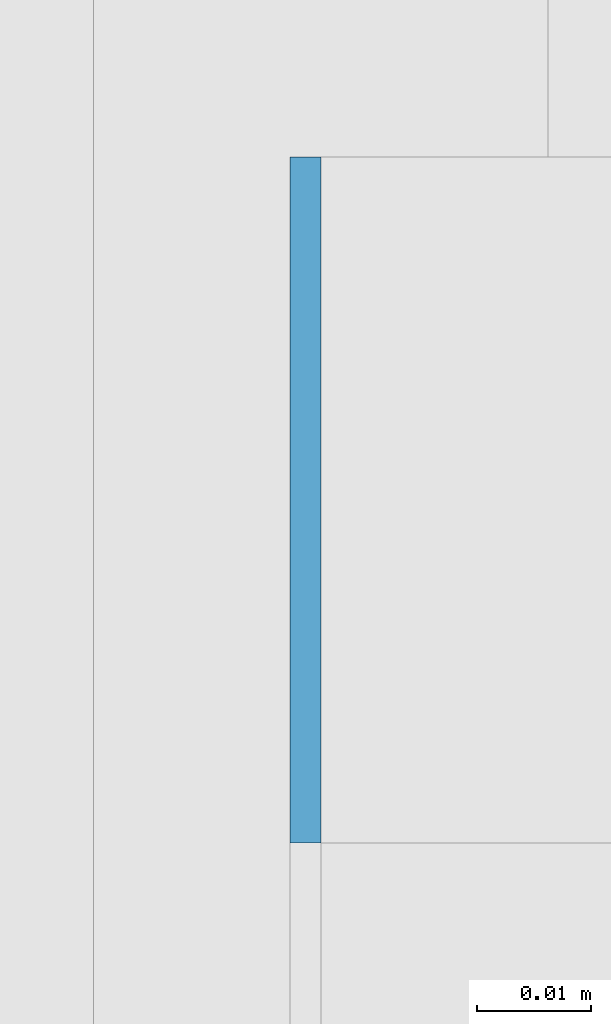
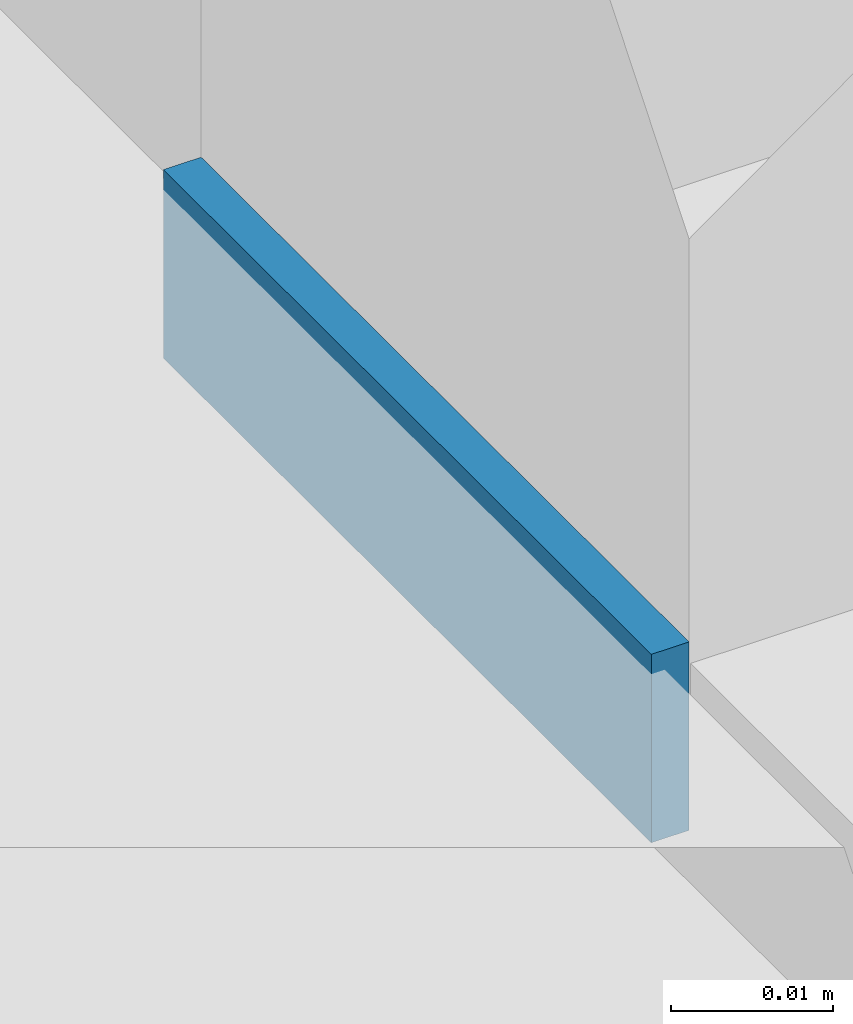
# One storey, part 432 of 646: 1 discrete accessory.
"""IFC4 building model written with IfcOpenShell, lengths in metres."""

from ifc_helpers import new_model, si_unit, direction, frame, origin, origin_2d, place, context, subcontext, project, spatial, rectangle, extrude, material, type_object, element, save


model = new_model("IFC4")

# Units and contexts
model_context = context("Model", 3, precision=1e-05, world=origin(), true_north=direction((0.0, 1.0)))
body_context = subcontext(model_context, "Body", "Model", "MODEL_VIEW")
ifc_project = project(units=[si_unit("LENGTHUNIT", "METRE"), si_unit("AREAUNIT", "SQUARE_METRE"), si_unit("VOLUMEUNIT", "CUBIC_METRE"), si_unit("PLANEANGLEUNIT", "RADIAN"), si_unit("MASSUNIT", "GRAM", prefix="KILO")], contexts=[model_context])

# Site, building, storey
site_placement = place(None, origin())
site = spatial("IfcSite", under=ifc_project, at=site_placement, CompositionType="ELEMENT")
building_placement = place(site_placement, origin())
building = spatial("IfcBuilding", under=site, at=building_placement, Name="Silverbay Arena", CompositionType="ELEMENT")
storey_placement = place(building_placement, frame((0.0, 0.0, 33.5)))
storey = spatial("IfcBuildingStorey", under=building, at=storey_placement, Name="L05", CompositionType="ELEMENT", Elevation=33.5)

# Discrete accessory
ifc_material = material(Name="Steel S355", Category="steel")
discrete_accessory_type = type_object("IfcDiscreteAccessoryType", Name="Steel bracket plate", PredefinedType="BRACKET", material=ifc_material)
discrete_accessory_placement = place(storey_placement, frame((207.128662109375, 27.429931640625, 4.0), z_axis=(0.0, 0.0, 1.0), x_axis=(1.0, 0.0, 0.0)))
element("IfcDiscreteAccessory", 1, at=discrete_accessory_placement, inside=storey, type_object=discrete_accessory_type, Name="Curtain wall packing plate", PredefinedType="BRACKET", context=body_context, shape_type="SweptSolid", body=[
    extrude(rectangle(XDim=0.002685546875, YDim=0.06005859375, at=origin_2d()), origin(), (0.0, 0.0, 1.0), 0.01416015625),
])

save(model, "model.ifc")
